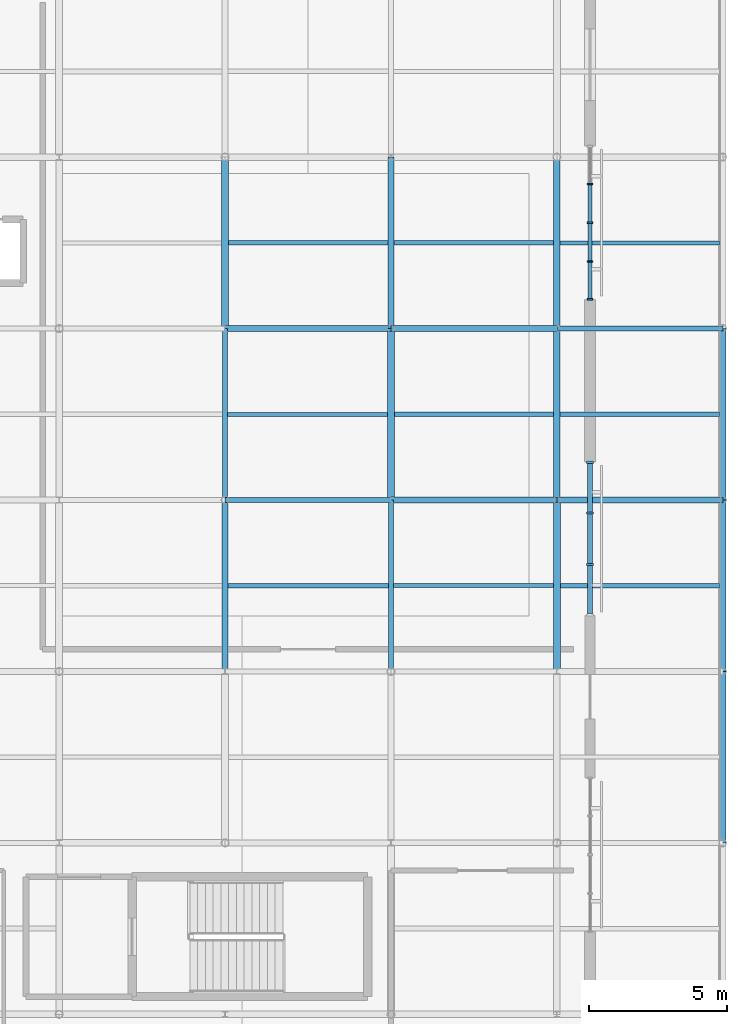
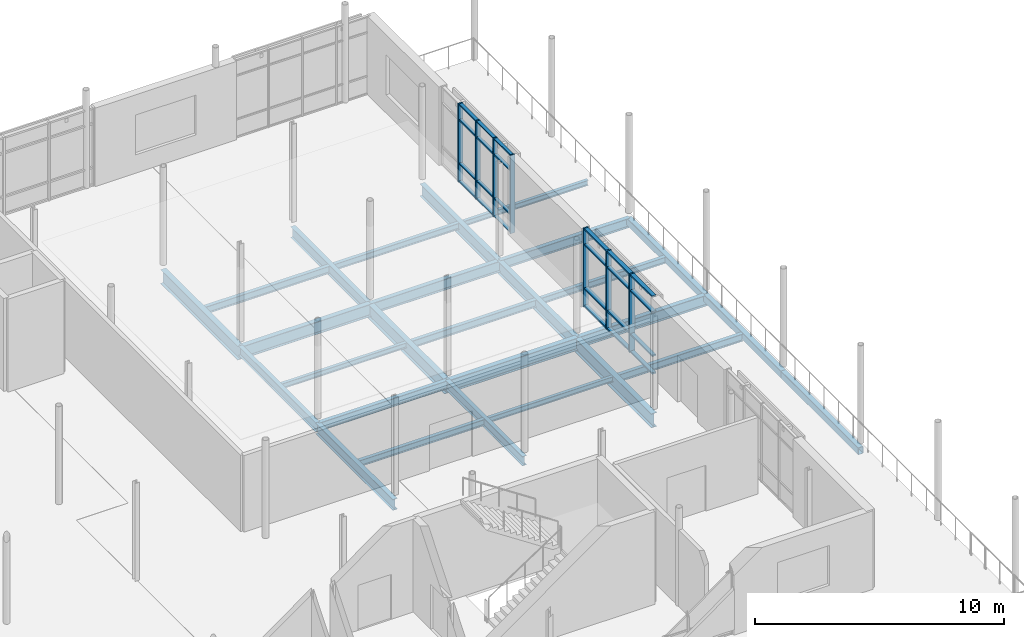
# One storey, part 36 of 66: 31 members, 27 beams, 2 elements without a shape of their own.
"""IFC4 building model written with IfcOpenShell, lengths in metres."""

import ifcopenshell
import ifcopenshell.guid

model = None  # the IFC model being written
_history = None  # IfcOwnerHistory: only IFC2X3 demands one
_inside = {}  # id of a spatial element -> (the spatial element, [elements in it])
_under = {}  # id of a project, library or spatial element -> (it, [spatial elements below it])
_declared = {}  # id of a project -> (the project, [libraries it declares])
_typed = {}  # id of a type object -> (the type object, [elements of that type])
_made_of = {}  # id of a material, layer set ... -> (it, [elements and type objects made of it])


def new_model(schema):
    """Start an empty IFC model of exactly this schema.

    Asked for "IFC4X3", IfcOpenShell would pick the latest addendum, in which some entities
    have other attributes; the version numbers below select the first issue.
    IFC2X3 requires an IfcOwnerHistory on every rooted entity: one is made here for all.
    """
    global model, _history
    if schema == "IFC4X3":
        model = ifcopenshell.file(schema_version=(4, 3, 0, 0))
    else:
        model = ifcopenshell.file(schema=schema)
    _inside.clear()
    _under.clear()
    _declared.clear()
    _typed.clear()
    _made_of.clear()
    _history = None
    if model.schema == "IFC2X3":
        org = make("IfcOrganization", Name="unknown")
        user = make(
            "IfcPersonAndOrganization",
            ThePerson=make("IfcPerson", FamilyName="unknown"),
            TheOrganization=org,
        )
        app = make(
            "IfcApplication",
            ApplicationDeveloper=org,
            Version="unknown",
            ApplicationFullName="unknown",
            ApplicationIdentifier="unknown",
        )
        _history = make(
            "IfcOwnerHistory",
            OwningUser=user,
            OwningApplication=app,
            ChangeAction="ADDED",
            CreationDate=0,
        )
    return model


def make(cls, **values):
    """One entity of the class cls with the attributes given. An attribute that is None is left unset."""
    return model.create_entity(
        cls, **{name: value for name, value in values.items() if value is not None}
    )


def rooted(cls, **values):
    """An entity with a GlobalId (a new one), such as an element, a storey or a relation."""
    return make(cls, GlobalId=ifcopenshell.guid.new(), OwnerHistory=_history, **values)


def si_unit(unit_type, name, prefix=None):
    """IfcSIUnit, for example si_unit("LENGTHUNIT", "METRE", prefix="MILLI")."""
    return make("IfcSIUnit", UnitType=unit_type, Prefix=prefix, Name=name)


def assignment(units):
    """IfcUnitAssignment: the units of a project."""
    return None if units is None else make("IfcUnitAssignment", Units=units)


def point(xyz):
    """IfcCartesianPoint."""
    return None if xyz is None else make("IfcCartesianPoint", Coordinates=xyz)


def direction(xyz):
    """IfcDirection."""
    return None if xyz is None else make("IfcDirection", DirectionRatios=xyz)


def frame(location, z_axis=None, x_axis=None):
    """IfcAxis2Placement3D, a coordinate frame: its origin and axes. An axis left out is left unset."""
    return make(
        "IfcAxis2Placement3D",
        Location=point(location),
        Axis=direction(z_axis),
        RefDirection=direction(x_axis),
    )


def frame_2d(location, x_axis=None):
    """IfcAxis2Placement2D, a coordinate frame in the plane: its origin and x axis."""
    return make(
        "IfcAxis2Placement2D", Location=point(location), RefDirection=direction(x_axis)
    )


def origin():
    """The frame at (0, 0, 0) with its axes left unset."""
    return frame((0.0, 0.0, 0.0))


def origin_2d():
    """The frame at (0, 0) in the plane with its x axis left unset."""
    return frame_2d((0.0, 0.0))


def place(relative_to, where):
    """IfcLocalPlacement: puts the frame where relative to a parent placement (None: the world)."""
    return make(
        "IfcLocalPlacement", PlacementRelTo=relative_to, RelativePlacement=where
    )


def context(
    kind, dimensions, precision=None, world=None, true_north=None, identifier=None
):
    """IfcGeometricRepresentationContext, for example the 3D "Model" context."""
    return make(
        "IfcGeometricRepresentationContext",
        ContextIdentifier=identifier,
        ContextType=kind,
        CoordinateSpaceDimension=dimensions,
        Precision=precision,
        WorldCoordinateSystem=world,
        TrueNorth=true_north,
    )


def subcontext(parent, identifier, kind, view, scale=None):
    """IfcGeometricRepresentationSubContext, for example "Body" below "Model"."""
    return make(
        "IfcGeometricRepresentationSubContext",
        ContextIdentifier=identifier,
        ContextType=kind,
        ParentContext=parent,
        TargetScale=scale,
        TargetView=view,
    )


def project(units=None, contexts=None):
    """IfcProject with its units and contexts."""
    return rooted(
        "IfcProject",
        Name="project",
        RepresentationContexts=contexts,
        UnitsInContext=assignment(units),
    )


def spatial(cls, under=None, at=None, **own):
    """A site, building, storey or space (cls), placed at a placement, below another one or the project."""
    s = rooted(cls, ObjectPlacement=at, **own)
    if under is not None:
        _under.setdefault(under.id(), (under, []))[1].append(s)
    return s


def profile(cls, at=None, kind="AREA", **sizes):
    """A parametric profile (cls). Its sizes go by their IFC names, for example OverallWidth=200.0."""
    return make(cls, ProfileType=kind, Position=at, **sizes)


def rectangle(**sizes):
    """IfcRectangleProfileDef."""
    return profile("IfcRectangleProfileDef", **sizes)


def hollow_rectangle(**sizes):
    """IfcRectangleHollowProfileDef."""
    return profile("IfcRectangleHollowProfileDef", **sizes)


def i_section(**sizes):
    """IfcIShapeProfileDef."""
    return profile("IfcIShapeProfileDef", **sizes)


def extrude(swept, where, along, depth):
    """IfcExtrudedAreaSolid: the profile swept, set in the frame where, extruded along a direction by depth."""
    return make(
        "IfcExtrudedAreaSolid",
        SweptArea=swept,
        Position=where,
        ExtrudedDirection=direction(along),
        Depth=depth,
    )


def shape(context_of_items, identifier, shape_type, items):
    """IfcShapeRepresentation: the items that make up one representation, for example the "Body"."""
    return make(
        "IfcShapeRepresentation",
        ContextOfItems=context_of_items,
        RepresentationIdentifier=identifier,
        RepresentationType=shape_type,
        Items=items,
    )


def material(Name=None, Category=None):
    """IfcMaterial."""
    return make("IfcMaterial", Name=Name, Category=Category)


def layer(
    of_material, thickness, ventilated=None, Name=None, Category=None, Priority=None
):
    """IfcMaterialLayer: one layer of a wall or slab, of a material (None: an air gap)."""
    return make(
        "IfcMaterialLayer",
        Material=of_material,
        LayerThickness=thickness,
        IsVentilated=ventilated,
        Name=Name,
        Category=Category,
        Priority=Priority,
    )


def layer_set(layers, Name=None):
    """IfcMaterialLayerSet."""
    return make("IfcMaterialLayerSet", MaterialLayers=layers, LayerSetName=Name)


def material_profile(
    of_material, cross_section, Name=None, Category=None, Priority=None
):
    """IfcMaterialProfile: a cross section and its material."""
    return make(
        "IfcMaterialProfile",
        Name=Name,
        Material=of_material,
        Profile=cross_section,
        Priority=Priority,
        Category=Category,
    )


def profile_set(profiles, Name=None, composite=None):
    """IfcMaterialProfileSet."""
    return make(
        "IfcMaterialProfileSet",
        Name=Name,
        MaterialProfiles=profiles,
        CompositeProfile=composite,
    )


def made_of(thing, what):
    """Note that an element or type object is made of a material, layer set ...; save() writes the relation."""
    if what is not None:
        _made_of.setdefault(what.id(), (what, []))[1].append(thing)
    return thing


def type_object(cls, material=None, **own):
    """A type object (cls), such as IfcWallType, which elements share."""
    return made_of(rooted(cls, **own), material)


def element(
    cls,
    number,
    at=None,
    inside=None,
    cuts=None,
    type_object=None,
    material=None,
    context=None,
    identifier="Body",
    shape_type=None,
    held_by="IfcProductDefinitionShape",
    body=None,
    shapes=None,
    **own,
):
    """One element of the class cls, such as IfcWall. Its Tag is "e" and its number.

    at: its placement. inside: the storey or other place that contains it. cuts: it is an
    opening in that element (IfcRelVoidsElement). A single representation is given by context,
    identifier, shape_type and body (its items); several are given by shapes. held_by: the class
    of the entity that holds the representations. save() writes the other relations.
    """
    e = rooted(cls, Tag="e%d" % number, ObjectPlacement=at, **own)
    if body is not None:
        shapes = [shape(context, identifier, shape_type, body)]
    if shapes is not None:
        e.Representation = make(held_by, Representations=shapes)
    if inside is not None:
        _inside.setdefault(inside.id(), (inside, []))[1].append(e)
    if cuts is not None:
        rooted(
            "IfcRelVoidsElement", RelatingBuildingElement=cuts, RelatedOpeningElement=e
        )
    if type_object is not None:
        _typed.setdefault(type_object.id(), (type_object, []))[1].append(e)
    return made_of(e, material)


def aggregate(whole, parts):
    """IfcRelAggregates: a whole, such as a stair, and the parts it consists of."""
    return rooted("IfcRelAggregates", RelatingObject=whole, RelatedObjects=parts)


def save(model, path):
    """Write the relations noted so far, then the file.

    IfcRelAggregates (storeys below a building ...), IfcRelContainedInSpatialStructure (elements
    in a storey), IfcRelDefinesByType, IfcRelAssociatesMaterial and IfcRelDeclares: one each for
    every whole, place, type object, material and project.
    """
    for whole, parts in _under.values():
        aggregate(whole, parts)
    for where, things in _inside.values():
        rooted(
            "IfcRelContainedInSpatialStructure",
            RelatedElements=things,
            RelatingStructure=where,
        )
    for kind, things in _typed.values():
        rooted("IfcRelDefinesByType", RelatedObjects=things, RelatingType=kind)
    for what, things in _made_of.values():
        rooted("IfcRelAssociatesMaterial", RelatedObjects=things, RelatingMaterial=what)
    for by, libraries in _declared.values():
        rooted("IfcRelDeclares", RelatingContext=by, RelatedDefinitions=libraries)
    model.write(path)


model = new_model("IFC4")

# Units and contexts
model_context = context("Model", 3, precision=1e-05, world=origin(), true_north=direction((0.0, 1.0)))
body_context = subcontext(model_context, "Body", "Model", "MODEL_VIEW")
ifc_project = project(units=[si_unit("LENGTHUNIT", "METRE"), si_unit("AREAUNIT", "SQUARE_METRE"), si_unit("VOLUMEUNIT", "CUBIC_METRE"), si_unit("PLANEANGLEUNIT", "RADIAN"), si_unit("MASSUNIT", "GRAM", prefix="KILO")], contexts=[model_context])

# Site, building, storey
site_placement = place(None, origin())
site = spatial("IfcSite", under=ifc_project, at=site_placement, CompositionType="ELEMENT")
building_placement = place(site_placement, origin())
building = spatial("IfcBuilding", under=site, at=building_placement, Name="Mirzam Square Science Centre", CompositionType="ELEMENT")
storey_placement = place(building_placement, frame((0.0, 0.0, 15.60009765625)))
storey = spatial("IfcBuildingStorey", under=building, at=storey_placement, Name="L03", CompositionType="ELEMENT", Elevation=15.60009765625)

# Beams
ifc_material_1 = material(Name="Steel S355", Category="steel")
ifc_material_profile_1 = material_profile(ifc_material_1, i_section(OverallWidth=0.1787109375, OverallDepth=0.409423828125, WebThickness=0.0087890625, FlangeThickness=0.014404296875, FilletRadius=0.01025390625, at=origin_2d()), Name="406x178x67UB")
ifc_profile_set_1 = profile_set([ifc_material_profile_1], Name="Steel S355")
beam_type_1 = type_object("IfcBeamType", Name="BM-UB406", PredefinedType="BEAM", material=ifc_profile_set_1)
beam_1_placement = place(storey_placement, frame((144.0, 68.199951171875, -0.454833984375), z_axis=(1.0, 0.0, 0.0), x_axis=(0.0, 1.0, 0.0)))
element("IfcBeam", 1, at=beam_1_placement, inside=storey, type_object=beam_type_1, Name="L03 girder X25-12", PredefinedType="BEAM", context=body_context, shape_type="SweptSolid", body=[
    extrude(i_section(OverallWidth=0.1787109375, OverallDepth=0.409423828125, WebThickness=0.0087890625, FlangeThickness=0.014404296875, FilletRadius=0.01025390625, at=origin_2d()), origin(), (0.0, 0.0, 1.0), 6.0),
])
ifc_material_profile_2 = material_profile(ifc_material_1, i_section(OverallWidth=0.19140625, OverallDepth=0.4599609375, WebThickness=0.010009765625, FlangeThickness=0.01611328125, FilletRadius=0.01025390625, at=origin_2d()), Name="457x191x82UB")
ifc_profile_set_2 = profile_set([ifc_material_profile_2], Name="Steel S355")
beam_type_2 = type_object("IfcBeamType", Name="BM-UB457", PredefinedType="BEAM", material=ifc_profile_set_2)
beam_2_placement = place(storey_placement, frame((156.0, 74.39990234375, -0.47998046875), z_axis=(1.0, 0.0, 0.0), x_axis=(0.0, 1.0, 0.0)))
element("IfcBeam", 2, at=beam_2_placement, inside=storey, type_object=beam_type_2, Name="L03 girder X27-13", PredefinedType="BEAM", context=body_context, shape_type="SweptSolid", body=[
    extrude(i_section(OverallWidth=0.19140625, OverallDepth=0.4599609375, WebThickness=0.010009765625, FlangeThickness=0.01611328125, FilletRadius=0.01025390625, at=origin_2d()), origin(), (0.0, 0.0, 1.0), 6.0),
])
for number, where, z_axis, x_axis, name in (
    (3, (144.0, 68.199951171875, -0.47998046875), (0.0, 1.0, 0.0), (-1.0, 0.0, 0.0), "L03 girder Y25-12"),
    (4, (150.0, 62.0, -0.47998046875), (0.0, 1.0, 0.0), (-1.0, 0.0, 0.0), "L03 girder Y26-11"),
):
    element("IfcBeam", number, at=place(storey_placement, frame(where, z_axis=z_axis, x_axis=x_axis)), inside=storey, type_object=beam_type_2, Name=name, PredefinedType="BEAM", context=body_context, shape_type="SweptSolid", body=[
        extrude(i_section(OverallWidth=0.19140625, OverallDepth=0.4599609375, WebThickness=0.010009765625, FlangeThickness=0.01611328125, FilletRadius=0.01025390625, at=origin_2d()), origin(), (0.0, 0.0, 1.0), 6.199951171875),
    ])
ifc_material_profile_3 = material_profile(ifc_material_1, i_section(OverallWidth=0.2099609375, OverallDepth=0.53662109375, WebThickness=0.0107421875, FlangeThickness=0.017333984375, FilletRadius=0.0126953125, at=origin_2d()), Name="533x210x101UB")
ifc_profile_set_3 = profile_set([ifc_material_profile_3], Name="Steel S355")
beam_type_3 = type_object("IfcBeamType", Name="BM-UB533", PredefinedType="BEAM", material=ifc_profile_set_3)
for number, where, z_axis, x_axis, name in (
    (5, (156.0, 68.199951171875, -0.5185546875), (1.0, 0.0, 0.0), (0.0, 1.0, 0.0), "L03 girder X27-12"),
    (6, (150.0, 74.39990234375, -0.5185546875), (1.0, 0.0, 0.0), (0.0, 1.0, 0.0), "L03 girder X26-13"),
):
    element("IfcBeam", number, at=place(storey_placement, frame(where, z_axis=z_axis, x_axis=x_axis)), inside=storey, type_object=beam_type_3, Name=name, PredefinedType="BEAM", context=body_context, shape_type="SweptSolid", body=[
        extrude(i_section(OverallWidth=0.2099609375, OverallDepth=0.53662109375, WebThickness=0.0107421875, FlangeThickness=0.017333984375, FilletRadius=0.0126953125, at=origin_2d()), origin(), (0.0, 0.0, 1.0), 6.0),
    ])
beam_3_placement = place(storey_placement, frame((144.0, 62.0, -0.5185546875), z_axis=(0.0, 1.0, 0.0), x_axis=(-1.0, 0.0, 0.0)))
element("IfcBeam", 7, at=beam_3_placement, inside=storey, type_object=beam_type_3, Name="L03 girder Y25-11", PredefinedType="BEAM", context=body_context, shape_type="SweptSolid", body=[
    extrude(i_section(OverallWidth=0.2099609375, OverallDepth=0.53662109375, WebThickness=0.0107421875, FlangeThickness=0.017333984375, FilletRadius=0.0126953125, at=origin_2d()), origin(), (0.0, 0.0, 1.0), 6.199951171875),
])
beam_4_placement = place(storey_placement, frame((150.0, 74.39990234375, -0.5185546875), z_axis=(0.0, 1.0, 0.0), x_axis=(-1.0, 0.0, 0.0)))
element("IfcBeam", 8, at=beam_4_placement, inside=storey, type_object=beam_type_3, Name="L03 girder Y26-13", PredefinedType="BEAM", context=body_context, shape_type="SweptSolid", body=[
    extrude(i_section(OverallWidth=0.2099609375, OverallDepth=0.53662109375, WebThickness=0.0107421875, FlangeThickness=0.017333984375, FilletRadius=0.0126953125, at=origin_2d()), origin(), (0.0, 0.0, 1.0), 6.2001953125),
])
ifc_material_profile_4 = material_profile(ifc_material_1, i_section(OverallWidth=0.22900390625, OverallDepth=0.6123046875, WebThickness=0.011962890625, FlangeThickness=0.01953125, FilletRadius=0.0126953125, at=origin_2d()), Name="610x229x125UB")
ifc_profile_set_4 = profile_set([ifc_material_profile_4], Name="Steel S355")
beam_type_4 = type_object("IfcBeamType", Name="BM-UB610", PredefinedType="BEAM", material=ifc_profile_set_4)
for number, where, z_axis, x_axis, name in (
    (9, (150.0, 68.199951171875, -0.55615234375), (1.0, 0.0, 0.0), (0.0, 1.0, 0.0), "L03 girder X26-12"),
    (10, (144.0, 74.39990234375, -0.55615234375), (1.0, 0.0, 0.0), (0.0, 1.0, 0.0), "L03 girder X25-13"),
):
    element("IfcBeam", number, at=place(storey_placement, frame(where, z_axis=z_axis, x_axis=x_axis)), inside=storey, type_object=beam_type_4, Name=name, PredefinedType="BEAM", context=body_context, shape_type="SweptSolid", body=[
        extrude(i_section(OverallWidth=0.22900390625, OverallDepth=0.6123046875, WebThickness=0.011962890625, FlangeThickness=0.01953125, FilletRadius=0.0126953125, at=origin_2d()), origin(), (0.0, 0.0, 1.0), 6.0),
    ])
beam_5_placement = place(storey_placement, frame((156.0, 68.199951171875, -0.55615234375), z_axis=(0.0, 1.0, 0.0), x_axis=(-1.0, 0.0, 0.0)))
element("IfcBeam", 11, at=beam_5_placement, inside=storey, type_object=beam_type_4, Name="L03 girder Y27-12", PredefinedType="BEAM", context=body_context, shape_type="SweptSolid", body=[
    extrude(i_section(OverallWidth=0.22900390625, OverallDepth=0.6123046875, WebThickness=0.011962890625, FlangeThickness=0.01953125, FilletRadius=0.0126953125, at=origin_2d()), origin(), (0.0, 0.0, 1.0), 6.199951171875),
])
beam_6_placement = place(storey_placement, frame((156.0, 74.39990234375, -0.55615234375), z_axis=(0.0, 1.0, 0.0), x_axis=(-1.0, 0.0, 0.0)))
element("IfcBeam", 12, at=beam_6_placement, inside=storey, type_object=beam_type_4, Name="L03 girder Y27-13", PredefinedType="BEAM", context=body_context, shape_type="SweptSolid", body=[
    extrude(i_section(OverallWidth=0.22900390625, OverallDepth=0.6123046875, WebThickness=0.011962890625, FlangeThickness=0.01953125, FilletRadius=0.0126953125, at=origin_2d()), origin(), (0.0, 0.0, 1.0), 6.2001953125),
])
ifc_material_profile_5 = material_profile(ifc_material_1, i_section(OverallWidth=0.25439453125, OverallDepth=0.6875, WebThickness=0.01318359375, FlangeThickness=0.02099609375, FilletRadius=0.01513671875, at=origin_2d()), Name="686x254x152UB")
ifc_profile_set_5 = profile_set([ifc_material_profile_5], Name="Steel S355")
beam_type_5 = type_object("IfcBeamType", Name="BM-UB686", PredefinedType="BEAM", material=ifc_profile_set_5)
beam_7_placement = place(storey_placement, frame((144.0, 74.39990234375, -0.593994140625), z_axis=(0.0, 1.0, 0.0), x_axis=(-1.0, 0.0, 0.0)))
element("IfcBeam", 13, at=beam_7_placement, inside=storey, type_object=beam_type_5, Name="L03 girder Y25-13", PredefinedType="BEAM", context=body_context, shape_type="SweptSolid", body=[
    extrude(i_section(OverallWidth=0.25439453125, OverallDepth=0.6875, WebThickness=0.01318359375, FlangeThickness=0.02099609375, FilletRadius=0.01513671875, at=origin_2d()), origin(), (0.0, 0.0, 1.0), 6.2001953125),
])
for number, where, z_axis, x_axis, name in (
    (14, (150.0, 68.199951171875, -0.593994140625), (0.0, 1.0, 0.0), (-1.0, 0.0, 0.0), "L03 girder Y26-12"),
    (15, (156.0, 62.0, -0.593994140625), (0.0, 1.0, 0.0), (-1.0, 0.0, 0.0), "L03 girder Y27-11"),
):
    element("IfcBeam", number, at=place(storey_placement, frame(where, z_axis=z_axis, x_axis=x_axis)), inside=storey, type_object=beam_type_5, Name=name, PredefinedType="BEAM", context=body_context, shape_type="SweptSolid", body=[
        extrude(i_section(OverallWidth=0.25439453125, OverallDepth=0.6875, WebThickness=0.01318359375, FlangeThickness=0.02099609375, FilletRadius=0.01513671875, at=origin_2d()), origin(), (0.0, 0.0, 1.0), 6.199951171875),
    ])

# Curtain wall, members
ifc_material_2 = material(Name="Anodised Aluminium and Low-E Solar Glass", Category="aluminium")
ifc_layer_1 = layer(ifc_material_2, 0.179931640625)
ifc_layer_set_1 = layer_set([ifc_layer_1], Name="CW-LINK-A")
curtain_wall_type_1 = type_object("IfcCurtainWallType", Name="CW-LINK-A", PredefinedType="USERDEFINED", material=ifc_layer_set_1)
curtain_wall_1_placement = place(storey_placement, origin())
curtain_wall_1 = element("IfcCurtainWall", 16, at=curtain_wall_1_placement, inside=storey, type_object=curtain_wall_type_1, Name="L03 unitised curtain wall 129", ObjectType="UNITISED CURTAIN WALL", PredefinedType="USERDEFINED")
ifc_material_3 = material(Name="Anodised Architectural Aluminium 6063-T6", Category="aluminium")
ifc_material_profile_6 = material_profile(ifc_material_3, rectangle(XDim=0.06494140625, YDim=0.199951171875, at=origin_2d()), Name="ALU-MULL-200x65x5")
ifc_profile_set_6 = profile_set([ifc_material_profile_6], Name="Anodised Architectural Aluminium 6063-T6")
member_type_1 = type_object("IfcMemberType", Name="CWM-200", PredefinedType="MULLION", material=ifc_profile_set_6)
member_1_placement = place(storey_placement, frame((157.199951171875, 75.458984375, 0.0), z_axis=(0.0, 0.0, 1.0), x_axis=(0.0, 1.0, 0.0)))
member_1 = element("IfcMember", 17, at=member_1_placement, type_object=member_type_1, Name="CW-08 mullion 1", PredefinedType="MULLION", context=body_context, shape_type="SweptSolid", body=[
    extrude(rectangle(XDim=0.06494140625, YDim=0.199951171875, at=origin_2d()), origin(), (0.0, 0.0, 1.0), 3.83984375),
])
member_2_placement = place(storey_placement, frame((157.199951171875, 76.827392578125, 0.0), z_axis=(0.0, 0.0, 1.0), x_axis=(0.0, 1.0, 0.0)))
member_2 = element("IfcMember", 18, at=member_2_placement, type_object=member_type_1, Name="CW-08 mullion 2", PredefinedType="MULLION", context=body_context, shape_type="SweptSolid", body=[
    extrude(rectangle(XDim=0.06494140625, YDim=0.199951171875, at=origin_2d()), origin(), (0.0, 0.0, 1.0), 3.83984375),
])
member_3_placement = place(storey_placement, frame((157.199951171875, 78.228515625, 0.0), z_axis=(0.0, 0.0, 1.0), x_axis=(0.0, 1.0, 0.0)))
member_3 = element("IfcMember", 19, at=member_3_placement, type_object=member_type_1, Name="CW-08 mullion 3", PredefinedType="MULLION", context=body_context, shape_type="SweptSolid", body=[
    extrude(rectangle(XDim=0.06494140625, YDim=0.199951171875, at=origin_2d()), origin(), (0.0, 0.0, 1.0), 3.83984375),
])
member_4_placement = place(storey_placement, frame((157.199951171875, 79.629638671875, 0.0), z_axis=(0.0, 0.0, 1.0), x_axis=(0.0, 1.0, 0.0)))
member_4 = element("IfcMember", 20, at=member_4_placement, type_object=member_type_1, Name="CW-08 mullion 4", PredefinedType="MULLION", context=body_context, shape_type="SweptSolid", body=[
    extrude(rectangle(XDim=0.06494140625, YDim=0.199951171875, at=origin_2d()), origin(), (0.0, 0.0, 1.0), 3.83984375),
])

ifc_layer_2 = layer(ifc_material_2, 0.239990234375)
ifc_layer_set_2 = layer_set([ifc_layer_2], Name="CW-EAST-B")
curtain_wall_type_2 = type_object("IfcCurtainWallType", Name="CW-EAST-B", PredefinedType="USERDEFINED", material=ifc_layer_set_2)
curtain_wall_2_placement = place(storey_placement, origin())
curtain_wall_2 = element("IfcCurtainWall", 21, at=curtain_wall_2_placement, inside=storey, type_object=curtain_wall_type_2, Name="L03 unitised curtain wall 128", ObjectType="UNITISED CURTAIN WALL", PredefinedType="USERDEFINED")
ifc_material_profile_7 = material_profile(ifc_material_3, rectangle(XDim=0.074951171875, YDim=0.239990234375, at=origin_2d()), Name="ALU-MULL-240x75x5")
ifc_profile_set_7 = profile_set([ifc_material_profile_7], Name="Anodised Architectural Aluminium 6063-T6")
member_type_2 = type_object("IfcMemberType", Name="CWM-240", PredefinedType="MULLION", material=ifc_profile_set_7)
member_5_placement = place(storey_placement, frame((157.199951171875, 65.865966796875, 0.0), z_axis=(0.0, 0.0, 1.0), x_axis=(0.0, 1.0, 0.0)))
member_5 = element("IfcMember", 22, at=member_5_placement, type_object=member_type_2, Name="CW-06 mullion 2", PredefinedType="MULLION", context=body_context, shape_type="SweptSolid", body=[
    extrude(rectangle(XDim=0.074951171875, YDim=0.239990234375, at=origin_2d()), origin(), (0.0, 0.0, 1.0), 3.83984375),
])
member_6_placement = place(storey_placement, frame((157.199951171875, 67.734130859375, 0.0), z_axis=(0.0, 0.0, 1.0), x_axis=(0.0, 1.0, 0.0)))
member_6 = element("IfcMember", 23, at=member_6_placement, type_object=member_type_2, Name="CW-06 mullion 3", PredefinedType="MULLION", context=body_context, shape_type="SweptSolid", body=[
    extrude(rectangle(XDim=0.074951171875, YDim=0.239990234375, at=origin_2d()), origin(), (0.0, 0.0, 1.0), 3.83984375),
])
member_7_placement = place(storey_placement, frame((157.199951171875, 69.564697265625, 0.0), z_axis=(0.0, 0.0, 1.0), x_axis=(0.0, 1.0, 0.0)))
member_7 = element("IfcMember", 24, at=member_7_placement, type_object=member_type_2, Name="CW-06 mullion 4", PredefinedType="MULLION", context=body_context, shape_type="SweptSolid", body=[
    extrude(rectangle(XDim=0.074951171875, YDim=0.239990234375, at=origin_2d()), origin(), (0.0, 0.0, 1.0), 3.83984375),
])

# Member
ifc_material_profile_8 = material_profile(ifc_material_3, rectangle(XDim=0.14990234375, YDim=0.06494140625, at=origin_2d()), Name="ALU-TRAN-150x65x4")
ifc_profile_set_8 = profile_set([ifc_material_profile_8], Name="Anodised Architectural Aluminium 6063-T6")
member_type_3 = type_object("IfcMemberType", Name="CWT-150", PredefinedType="USERDEFINED", material=ifc_profile_set_8)
member_8_placement = place(storey_placement, frame((157.199951171875, 75.491455078125, 0.032470703125), z_axis=(0.0, 1.0, 0.0), x_axis=(-1.0, 0.0, 0.0)))
member_8 = element("IfcMember", 25, at=member_8_placement, type_object=member_type_3, Name="CW-08 transom 1.1", ObjectType="TRANSOM", PredefinedType="USERDEFINED", context=body_context, shape_type="SweptSolid", body=[
    extrude(rectangle(XDim=0.14990234375, YDim=0.06494140625, at=origin_2d()), origin(), (0.0, 0.0, 1.0), 1.303466796875),
])

member_9_placement = place(storey_placement, frame((157.199951171875, 75.491455078125, 0.89990234375), z_axis=(0.0, 1.0, 0.0), x_axis=(-1.0, 0.0, 0.0)))
member_9 = element("IfcMember", 26, at=member_9_placement, type_object=member_type_3, Name="CW-08 transom 1.2", ObjectType="TRANSOM", PredefinedType="USERDEFINED", context=body_context, shape_type="SweptSolid", body=[
    extrude(rectangle(XDim=0.14990234375, YDim=0.06494140625, at=origin_2d()), origin(), (0.0, 0.0, 1.0), 1.303466796875),
])

member_10_placement = place(storey_placement, frame((157.199951171875, 75.491455078125, 3.039794921875), z_axis=(0.0, 1.0, 0.0), x_axis=(-1.0, 0.0, 0.0)))
member_10 = element("IfcMember", 27, at=member_10_placement, type_object=member_type_3, Name="CW-08 transom 1.3", ObjectType="TRANSOM", PredefinedType="USERDEFINED", context=body_context, shape_type="SweptSolid", body=[
    extrude(rectangle(XDim=0.14990234375, YDim=0.06494140625, at=origin_2d()), origin(), (0.0, 0.0, 1.0), 1.303466796875),
])

member_11_placement = place(storey_placement, frame((157.199951171875, 75.491455078125, 3.807373046875), z_axis=(0.0, 1.0, 0.0), x_axis=(-1.0, 0.0, 0.0)))
member_11 = element("IfcMember", 28, at=member_11_placement, type_object=member_type_3, Name="CW-08 transom 1.4", ObjectType="TRANSOM", PredefinedType="USERDEFINED", context=body_context, shape_type="SweptSolid", body=[
    extrude(rectangle(XDim=0.14990234375, YDim=0.06494140625, at=origin_2d()), origin(), (0.0, 0.0, 1.0), 1.303466796875),
])

member_12_placement = place(storey_placement, frame((157.199951171875, 76.85986328125, 0.032470703125), z_axis=(0.0, 1.0, 0.0), x_axis=(-1.0, 0.0, 0.0)))
member_12 = element("IfcMember", 29, at=member_12_placement, type_object=member_type_3, Name="CW-08 transom 2.1", ObjectType="TRANSOM", PredefinedType="USERDEFINED", context=body_context, shape_type="SweptSolid", body=[
    extrude(rectangle(XDim=0.14990234375, YDim=0.06494140625, at=origin_2d()), origin(), (0.0, 0.0, 1.0), 1.336181640625),
])

member_13_placement = place(storey_placement, frame((157.199951171875, 76.85986328125, 0.89990234375), z_axis=(0.0, 1.0, 0.0), x_axis=(-1.0, 0.0, 0.0)))
member_13 = element("IfcMember", 30, at=member_13_placement, type_object=member_type_3, Name="CW-08 transom 2.2", ObjectType="TRANSOM", PredefinedType="USERDEFINED", context=body_context, shape_type="SweptSolid", body=[
    extrude(rectangle(XDim=0.14990234375, YDim=0.06494140625, at=origin_2d()), origin(), (0.0, 0.0, 1.0), 1.336181640625),
])

member_14_placement = place(storey_placement, frame((157.199951171875, 76.85986328125, 3.039794921875), z_axis=(0.0, 1.0, 0.0), x_axis=(-1.0, 0.0, 0.0)))
member_14 = element("IfcMember", 31, at=member_14_placement, type_object=member_type_3, Name="CW-08 transom 2.3", ObjectType="TRANSOM", PredefinedType="USERDEFINED", context=body_context, shape_type="SweptSolid", body=[
    extrude(rectangle(XDim=0.14990234375, YDim=0.06494140625, at=origin_2d()), origin(), (0.0, 0.0, 1.0), 1.336181640625),
])

member_15_placement = place(storey_placement, frame((157.199951171875, 76.85986328125, 3.807373046875), z_axis=(0.0, 1.0, 0.0), x_axis=(-1.0, 0.0, 0.0)))
member_15 = element("IfcMember", 32, at=member_15_placement, type_object=member_type_3, Name="CW-08 transom 2.4", ObjectType="TRANSOM", PredefinedType="USERDEFINED", context=body_context, shape_type="SweptSolid", body=[
    extrude(rectangle(XDim=0.14990234375, YDim=0.06494140625, at=origin_2d()), origin(), (0.0, 0.0, 1.0), 1.336181640625),
])

member_16_placement = place(storey_placement, frame((157.199951171875, 78.260986328125, 0.032470703125), z_axis=(0.0, 1.0, 0.0), x_axis=(-1.0, 0.0, 0.0)))
member_16 = element("IfcMember", 33, at=member_16_placement, type_object=member_type_3, Name="CW-08 transom 3.1", ObjectType="TRANSOM", PredefinedType="USERDEFINED", context=body_context, shape_type="SweptSolid", body=[
    extrude(rectangle(XDim=0.14990234375, YDim=0.06494140625, at=origin_2d()), origin(), (0.0, 0.0, 1.0), 1.336181640625),
])

member_17_placement = place(storey_placement, frame((157.199951171875, 78.260986328125, 0.89990234375), z_axis=(0.0, 1.0, 0.0), x_axis=(-1.0, 0.0, 0.0)))
member_17 = element("IfcMember", 34, at=member_17_placement, type_object=member_type_3, Name="CW-08 transom 3.2", ObjectType="TRANSOM", PredefinedType="USERDEFINED", context=body_context, shape_type="SweptSolid", body=[
    extrude(rectangle(XDim=0.14990234375, YDim=0.06494140625, at=origin_2d()), origin(), (0.0, 0.0, 1.0), 1.336181640625),
])

member_18_placement = place(storey_placement, frame((157.199951171875, 78.260986328125, 3.039794921875), z_axis=(0.0, 1.0, 0.0), x_axis=(-1.0, 0.0, 0.0)))
member_18 = element("IfcMember", 35, at=member_18_placement, type_object=member_type_3, Name="CW-08 transom 3.3", ObjectType="TRANSOM", PredefinedType="USERDEFINED", context=body_context, shape_type="SweptSolid", body=[
    extrude(rectangle(XDim=0.14990234375, YDim=0.06494140625, at=origin_2d()), origin(), (0.0, 0.0, 1.0), 1.336181640625),
])

member_19_placement = place(storey_placement, frame((157.199951171875, 78.260986328125, 3.807373046875), z_axis=(0.0, 1.0, 0.0), x_axis=(-1.0, 0.0, 0.0)))
member_19 = element("IfcMember", 36, at=member_19_placement, type_object=member_type_3, Name="CW-08 transom 3.4", ObjectType="TRANSOM", PredefinedType="USERDEFINED", context=body_context, shape_type="SweptSolid", body=[
    extrude(rectangle(XDim=0.14990234375, YDim=0.06494140625, at=origin_2d()), origin(), (0.0, 0.0, 1.0), 1.336181640625),
])

aggregate(curtain_wall_1, [member_1, member_2, member_3, member_4, member_8, member_9, member_10, member_11, member_12, member_13, member_14, member_15, member_16, member_17, member_18, member_19])

ifc_material_profile_9 = material_profile(ifc_material_3, rectangle(XDim=0.179931640625, YDim=0.074951171875, at=origin_2d()), Name="ALU-TRAN-180x75x5")
ifc_profile_set_9 = profile_set([ifc_material_profile_9], Name="Anodised Architectural Aluminium 6063-T6")
member_type_4 = type_object("IfcMemberType", Name="CWT-180", PredefinedType="USERDEFINED", material=ifc_profile_set_9)
member_20_placement = place(storey_placement, frame((157.199951171875, 64.072998046875, 0.037353515625), z_axis=(0.0, 1.0, 0.0), x_axis=(-1.0, 0.0, 0.0)))
member_20 = element("IfcMember", 37, at=member_20_placement, type_object=member_type_4, Name="CW-06 transom 1.1", ObjectType="TRANSOM", PredefinedType="USERDEFINED", context=body_context, shape_type="SweptSolid", body=[
    extrude(rectangle(XDim=0.179931640625, YDim=0.074951171875, at=origin_2d()), origin(), (0.0, 0.0, 1.0), 1.75537109375),
])

member_21_placement = place(storey_placement, frame((157.199951171875, 64.072998046875, 0.89990234375), z_axis=(0.0, 1.0, 0.0), x_axis=(-1.0, 0.0, 0.0)))
member_21 = element("IfcMember", 38, at=member_21_placement, type_object=member_type_4, Name="CW-06 transom 1.2", ObjectType="TRANSOM", PredefinedType="USERDEFINED", context=body_context, shape_type="SweptSolid", body=[
    extrude(rectangle(XDim=0.179931640625, YDim=0.074951171875, at=origin_2d()), origin(), (0.0, 0.0, 1.0), 1.75537109375),
])

member_22_placement = place(storey_placement, frame((157.199951171875, 64.072998046875, 3.039794921875), z_axis=(0.0, 1.0, 0.0), x_axis=(-1.0, 0.0, 0.0)))
member_22 = element("IfcMember", 39, at=member_22_placement, type_object=member_type_4, Name="CW-06 transom 1.3", ObjectType="TRANSOM", PredefinedType="USERDEFINED", context=body_context, shape_type="SweptSolid", body=[
    extrude(rectangle(XDim=0.179931640625, YDim=0.074951171875, at=origin_2d()), origin(), (0.0, 0.0, 1.0), 1.75537109375),
])

member_23_placement = place(storey_placement, frame((157.199951171875, 64.072998046875, 3.802490234375), z_axis=(0.0, 1.0, 0.0), x_axis=(-1.0, 0.0, 0.0)))
member_23 = element("IfcMember", 40, at=member_23_placement, type_object=member_type_4, Name="CW-06 transom 1.4", ObjectType="TRANSOM", PredefinedType="USERDEFINED", context=body_context, shape_type="SweptSolid", body=[
    extrude(rectangle(XDim=0.179931640625, YDim=0.074951171875, at=origin_2d()), origin(), (0.0, 0.0, 1.0), 1.75537109375),
])

member_24_placement = place(storey_placement, frame((157.199951171875, 65.903564453125, 0.037353515625), z_axis=(0.0, 1.0, 0.0), x_axis=(-1.0, 0.0, 0.0)))
member_24 = element("IfcMember", 41, at=member_24_placement, type_object=member_type_4, Name="CW-06 transom 2.1", ObjectType="TRANSOM", PredefinedType="USERDEFINED", context=body_context, shape_type="SweptSolid", body=[
    extrude(rectangle(XDim=0.179931640625, YDim=0.074951171875, at=origin_2d()), origin(), (0.0, 0.0, 1.0), 1.79296875),
])

member_25_placement = place(storey_placement, frame((157.199951171875, 65.903564453125, 0.89990234375), z_axis=(0.0, 1.0, 0.0), x_axis=(-1.0, 0.0, 0.0)))
member_25 = element("IfcMember", 42, at=member_25_placement, type_object=member_type_4, Name="CW-06 transom 2.2", ObjectType="TRANSOM", PredefinedType="USERDEFINED", context=body_context, shape_type="SweptSolid", body=[
    extrude(rectangle(XDim=0.179931640625, YDim=0.074951171875, at=origin_2d()), origin(), (0.0, 0.0, 1.0), 1.79296875),
])

member_26_placement = place(storey_placement, frame((157.199951171875, 65.903564453125, 3.039794921875), z_axis=(0.0, 1.0, 0.0), x_axis=(-1.0, 0.0, 0.0)))
member_26 = element("IfcMember", 43, at=member_26_placement, type_object=member_type_4, Name="CW-06 transom 2.3", ObjectType="TRANSOM", PredefinedType="USERDEFINED", context=body_context, shape_type="SweptSolid", body=[
    extrude(rectangle(XDim=0.179931640625, YDim=0.074951171875, at=origin_2d()), origin(), (0.0, 0.0, 1.0), 1.79296875),
])

member_27_placement = place(storey_placement, frame((157.199951171875, 65.903564453125, 3.802490234375), z_axis=(0.0, 1.0, 0.0), x_axis=(-1.0, 0.0, 0.0)))
member_27 = element("IfcMember", 44, at=member_27_placement, type_object=member_type_4, Name="CW-06 transom 2.4", ObjectType="TRANSOM", PredefinedType="USERDEFINED", context=body_context, shape_type="SweptSolid", body=[
    extrude(rectangle(XDim=0.179931640625, YDim=0.074951171875, at=origin_2d()), origin(), (0.0, 0.0, 1.0), 1.79296875),
])

member_28_placement = place(storey_placement, frame((157.199951171875, 67.771484375, 0.037353515625), z_axis=(0.0, 1.0, 0.0), x_axis=(-1.0, 0.0, 0.0)))
member_28 = element("IfcMember", 45, at=member_28_placement, type_object=member_type_4, Name="CW-06 transom 3.1", ObjectType="TRANSOM", PredefinedType="USERDEFINED", context=body_context, shape_type="SweptSolid", body=[
    extrude(rectangle(XDim=0.179931640625, YDim=0.074951171875, at=origin_2d()), origin(), (0.0, 0.0, 1.0), 1.755615234375),
])

member_29_placement = place(storey_placement, frame((157.199951171875, 67.771484375, 0.89990234375), z_axis=(0.0, 1.0, 0.0), x_axis=(-1.0, 0.0, 0.0)))
member_29 = element("IfcMember", 46, at=member_29_placement, type_object=member_type_4, Name="CW-06 transom 3.2", ObjectType="TRANSOM", PredefinedType="USERDEFINED", context=body_context, shape_type="SweptSolid", body=[
    extrude(rectangle(XDim=0.179931640625, YDim=0.074951171875, at=origin_2d()), origin(), (0.0, 0.0, 1.0), 1.755615234375),
])

member_30_placement = place(storey_placement, frame((157.199951171875, 67.771484375, 3.039794921875), z_axis=(0.0, 1.0, 0.0), x_axis=(-1.0, 0.0, 0.0)))
member_30 = element("IfcMember", 47, at=member_30_placement, type_object=member_type_4, Name="CW-06 transom 3.3", ObjectType="TRANSOM", PredefinedType="USERDEFINED", context=body_context, shape_type="SweptSolid", body=[
    extrude(rectangle(XDim=0.179931640625, YDim=0.074951171875, at=origin_2d()), origin(), (0.0, 0.0, 1.0), 1.755615234375),
])

member_31_placement = place(storey_placement, frame((157.199951171875, 67.771484375, 3.802490234375), z_axis=(0.0, 1.0, 0.0), x_axis=(-1.0, 0.0, 0.0)))
member_31 = element("IfcMember", 48, at=member_31_placement, type_object=member_type_4, Name="CW-06 transom 3.4", ObjectType="TRANSOM", PredefinedType="USERDEFINED", context=body_context, shape_type="SweptSolid", body=[
    extrude(rectangle(XDim=0.179931640625, YDim=0.074951171875, at=origin_2d()), origin(), (0.0, 0.0, 1.0), 1.755615234375),
])

aggregate(curtain_wall_2, [member_5, member_6, member_7, member_20, member_21, member_22, member_23, member_24, member_25, member_26, member_27, member_28, member_29, member_30, member_31])

# Beams
ifc_material_profile_10 = material_profile(ifc_material_1, i_section(OverallWidth=0.146484375, OverallDepth=0.256103515625, WebThickness=0.00634765625, FlangeThickness=0.010986328125, FilletRadius=0.007568359375, at=origin_2d()), Name="254x146x37UB")
ifc_profile_set_10 = profile_set([ifc_material_profile_10], Name="Steel S355")
beam_type_6 = type_object("IfcBeamType", Name="JS-UB254", PredefinedType="JOIST", material=ifc_profile_set_10)
for number, where, z_axis, x_axis, name in (
    (49, (144.095703125, 71.300048828125, -0.378173828125), (1.0, 0.0, 0.0), (0.0, 1.0, 0.0), "L03 composite joist 25-12"),
    (50, (150.095703125, 65.10009765625, -0.378173828125), (1.0, 0.0, 0.0), (0.0, 1.0, 0.0), "L03 composite joist 26-11"),
):
    element("IfcBeam", number, at=place(storey_placement, frame(where, z_axis=z_axis, x_axis=x_axis)), inside=storey, type_object=beam_type_6, Name=name, PredefinedType="JOIST", context=body_context, shape_type="SweptSolid", body=[
        extrude(i_section(OverallWidth=0.146484375, OverallDepth=0.256103515625, WebThickness=0.00634765625, FlangeThickness=0.010986328125, FilletRadius=0.007568359375, at=origin_2d()), origin(), (0.0, 0.0, 1.0), 5.777099609375),
    ])
beam_8_placement = place(storey_placement, frame((156.114501953125, 77.5, -0.378173828125), z_axis=(1.0, 0.0, 0.0), x_axis=(0.0, 1.0, 0.0)))
element("IfcBeam", 51, at=beam_8_placement, inside=storey, type_object=beam_type_6, Name="L03 composite joist 27-13", PredefinedType="JOIST", context=body_context, shape_type="SweptSolid", body=[
    extrude(i_section(OverallWidth=0.146484375, OverallDepth=0.256103515625, WebThickness=0.00634765625, FlangeThickness=0.010986328125, FilletRadius=0.007568359375, at=origin_2d()), origin(), (0.0, 0.0, 1.0), 5.760498046875),
])
ifc_material_profile_11 = material_profile(ifc_material_1, i_section(OverallWidth=0.165771484375, OverallDepth=0.306640625, WebThickness=0.006591796875, FlangeThickness=0.01171875, FilletRadius=0.0087890625, at=origin_2d()), Name="305x165x46UB")
ifc_profile_set_11 = profile_set([ifc_material_profile_11], Name="Steel S355")
beam_type_7 = type_object("IfcBeamType", Name="JS-UB305", PredefinedType="JOIST", material=ifc_profile_set_11)
beam_9_placement = place(storey_placement, frame((144.10498046875, 65.10009765625, -0.4033203125), z_axis=(1.0, 0.0, 0.0), x_axis=(0.0, 1.0, 0.0)))
element("IfcBeam", 52, at=beam_9_placement, inside=storey, type_object=beam_type_7, Name="L03 composite joist 25-11", PredefinedType="JOIST", context=body_context, shape_type="SweptSolid", body=[
    extrude(i_section(OverallWidth=0.165771484375, OverallDepth=0.306640625, WebThickness=0.006591796875, FlangeThickness=0.01171875, FilletRadius=0.0087890625, at=origin_2d()), origin(), (0.0, 0.0, 1.0), 5.79931640625),
])
beam_10_placement = place(storey_placement, frame((150.10498046875, 77.5, -0.4033203125), z_axis=(1.0, 0.0, 0.0), x_axis=(0.0, 1.0, 0.0)))
element("IfcBeam", 53, at=beam_10_placement, inside=storey, type_object=beam_type_7, Name="L03 composite joist 26-13", PredefinedType="JOIST", context=body_context, shape_type="SweptSolid", body=[
    extrude(i_section(OverallWidth=0.165771484375, OverallDepth=0.306640625, WebThickness=0.006591796875, FlangeThickness=0.01171875, FilletRadius=0.0087890625, at=origin_2d()), origin(), (0.0, 0.0, 1.0), 5.780517578125),
])
beam_11_placement = place(storey_placement, frame((156.114501953125, 71.300048828125, -0.4033203125), z_axis=(1.0, 0.0, 0.0), x_axis=(0.0, 1.0, 0.0)))
element("IfcBeam", 54, at=beam_11_placement, inside=storey, type_object=beam_type_7, Name="L03 composite joist 27-12", PredefinedType="JOIST", context=body_context, shape_type="SweptSolid", body=[
    extrude(i_section(OverallWidth=0.165771484375, OverallDepth=0.306640625, WebThickness=0.006591796875, FlangeThickness=0.01171875, FilletRadius=0.0087890625, at=origin_2d()), origin(), (0.0, 0.0, 1.0), 5.760498046875),
])
ifc_material_profile_12 = material_profile(ifc_material_1, i_section(OverallWidth=0.172119140625, OverallDepth=0.35791015625, WebThickness=0.008056640625, FlangeThickness=0.012939453125, FilletRadius=0.01025390625, at=origin_2d()), Name="356x171x57UB")
ifc_profile_set_12 = profile_set([ifc_material_profile_12], Name="Steel S355")
beam_type_8 = type_object("IfcBeamType", Name="JS-UB356", PredefinedType="JOIST", material=ifc_profile_set_12)
beam_12_placement = place(storey_placement, frame((144.127197265625, 77.5, -0.42919921875), z_axis=(1.0, 0.0, 0.0), x_axis=(0.0, 1.0, 0.0)))
element("IfcBeam", 55, at=beam_12_placement, inside=storey, type_object=beam_type_8, Name="L03 composite joist 25-13", PredefinedType="JOIST", context=body_context, shape_type="SweptSolid", body=[
    extrude(i_section(OverallWidth=0.172119140625, OverallDepth=0.35791015625, WebThickness=0.008056640625, FlangeThickness=0.012939453125, FilletRadius=0.01025390625, at=origin_2d()), origin(), (0.0, 0.0, 1.0), 5.767822265625),
])
beam_13_placement = place(storey_placement, frame((150.127197265625, 71.300048828125, -0.42919921875), z_axis=(1.0, 0.0, 0.0), x_axis=(0.0, 1.0, 0.0)))
element("IfcBeam", 56, at=beam_13_placement, inside=storey, type_object=beam_type_8, Name="L03 composite joist 26-12", PredefinedType="JOIST", context=body_context, shape_type="SweptSolid", body=[
    extrude(i_section(OverallWidth=0.172119140625, OverallDepth=0.35791015625, WebThickness=0.008056640625, FlangeThickness=0.012939453125, FilletRadius=0.01025390625, at=origin_2d()), origin(), (0.0, 0.0, 1.0), 5.75830078125),
])
beam_14_placement = place(storey_placement, frame((156.127197265625, 65.10009765625, -0.42919921875), z_axis=(1.0, 0.0, 0.0), x_axis=(0.0, 1.0, 0.0)))
element("IfcBeam", 57, at=beam_14_placement, inside=storey, type_object=beam_type_8, Name="L03 composite joist 27-11", PredefinedType="JOIST", context=body_context, shape_type="SweptSolid", body=[
    extrude(i_section(OverallWidth=0.172119140625, OverallDepth=0.35791015625, WebThickness=0.008056640625, FlangeThickness=0.012939453125, FilletRadius=0.01025390625, at=origin_2d()), origin(), (0.0, 0.0, 1.0), 5.747802734375),
])
ifc_material_profile_13 = material_profile(ifc_material_1, hollow_rectangle(XDim=0.25, YDim=0.35009765625, WallThickness=0.012451171875, InnerFilletRadius=0.012451171875, OuterFilletRadius=0.02490234375, at=origin_2d()), Name="350x250x12.5RHS")
ifc_profile_set_13 = profile_set([ifc_material_profile_13], Name="Steel S355")
beam_type_9 = type_object("IfcBeamType", Name="SP-RHS350", PredefinedType="SPANDREL", material=ifc_profile_set_13)
for number, where, z_axis, x_axis, name in (
    (58, (162.0, 55.800048828125, -0.425048828125), (0.0, 1.0, 0.0), (-1.0, 0.0, 0.0), "L03 girder Y28-10"),
    (59, (162.0, 62.0, -0.425048828125), (0.0, 1.0, 0.0), (-1.0, 0.0, 0.0), "L03 girder Y28-11"),
    (60, (162.0, 68.199951171875, -0.425048828125), (0.0, 1.0, 0.0), (-1.0, 0.0, 0.0), "L03 girder Y28-12"),
):
    element("IfcBeam", number, at=place(storey_placement, frame(where, z_axis=z_axis, x_axis=x_axis)), inside=storey, type_object=beam_type_9, Name=name, PredefinedType="SPANDREL", context=body_context, shape_type="SweptSolid", body=[
        extrude(hollow_rectangle(XDim=0.25, YDim=0.35009765625, WallThickness=0.012451171875, InnerFilletRadius=0.012451171875, OuterFilletRadius=0.02490234375, at=origin_2d()), origin(), (0.0, 0.0, 1.0), 6.199951171875),
    ])

save(model, "model.ifc")
